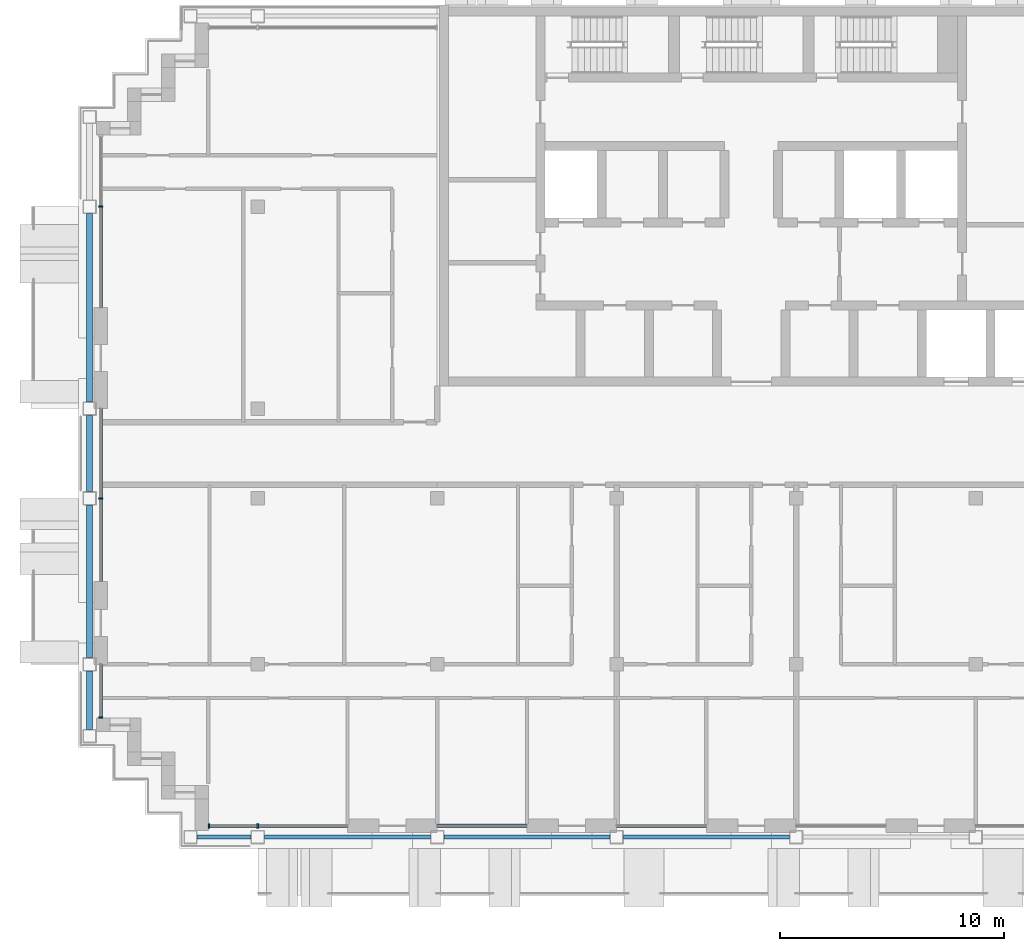
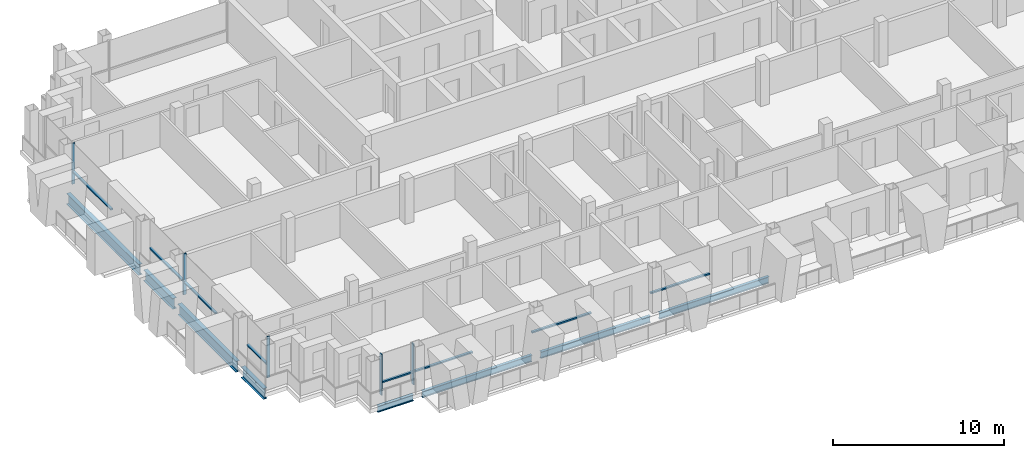
# One storey, part 2 of 16: 13 members, 8 beams, 6 elements without a shape of their own.
"""IFC4 building model written with IfcOpenShell, lengths in metres."""

from ifc_helpers import new_model, si_unit, direction, frame, origin, origin_2d, place, context, subcontext, project, spatial, rectangle, i_section, extrude, material, material_profile, profile_set, type_object, element, aggregate, save


model = new_model("IFC4")

# Units and contexts
model_context = context("Model", 3, precision=1e-05, world=origin(), true_north=direction((0.0, 1.0)))
body_context = subcontext(model_context, "Body", "Model", "MODEL_VIEW")
ifc_project = project(units=[si_unit("LENGTHUNIT", "METRE"), si_unit("AREAUNIT", "SQUARE_METRE"), si_unit("VOLUMEUNIT", "CUBIC_METRE"), si_unit("PLANEANGLEUNIT", "RADIAN"), si_unit("MASSUNIT", "GRAM", prefix="KILO")], contexts=[model_context])

# Site, building, storey
site_placement = place(None, origin())
site = spatial("IfcSite", under=ifc_project, at=site_placement, CompositionType="ELEMENT")
building_placement = place(site_placement, origin())
building = spatial("IfcBuilding", under=site, at=building_placement, Name="Vidyagriha Tower", CompositionType="ELEMENT")
storey_placement = place(building_placement, frame((0.0, 0.0, 223.60009765625)))
storey = spatial("IfcBuildingStorey", under=building, at=storey_placement, Name="L58", CompositionType="ELEMENT", Elevation=223.60009765625)

# Beams
ifc_material_1 = material(Name="Steel ASTM A992 Grade 50", Category="steel")
ifc_material_profile_1 = material_profile(ifc_material_1, i_section(OverallWidth=0.2666015625, OverallDepth=0.76953125, WebThickness=0.015625, FlangeThickness=0.025390625, at=origin_2d()), Name="W30X132")
ifc_profile_set_1 = profile_set([ifc_material_profile_1], Name="Steel ASTM A992 Grade 50")
beam_type_1 = type_object("IfcBeamType", Name="Cantilever edge beam W30X132", PredefinedType="SPANDREL", material=ifc_profile_set_1)
beam_1_placement = place(storey_placement, frame((-29.5, -12.300048828125, -0.664794921875), z_axis=(0.0, 1.0, 0.0), x_axis=(-1.0, 0.0, 0.0)))
element("IfcBeam", 1, at=beam_1_placement, inside=storey, type_object=beam_type_1, Name="st-beam-L58-W08", PredefinedType="SPANDREL", context=body_context, shape_type="SweptSolid", body=[
    extrude(i_section(OverallWidth=0.2666015625, OverallDepth=0.76953125, WebThickness=0.015625, FlangeThickness=0.025390625, at=origin_2d()), origin(), (0.0, 0.0, 1.0), 2.60009765625),
])
beam_2_placement = place(storey_placement, frame((-29.5, -9.10009765625, -0.664794921875), z_axis=(0.0, 1.0, 0.0), x_axis=(-1.0, 0.0, 0.0)))
element("IfcBeam", 2, at=beam_2_placement, inside=storey, type_object=beam_type_1, Name="st-beam-L58-W09", PredefinedType="SPANDREL", context=body_context, shape_type="SweptSolid", body=[
    extrude(i_section(OverallWidth=0.2666015625, OverallDepth=0.76953125, WebThickness=0.015625, FlangeThickness=0.025390625, at=origin_2d()), origin(), (0.0, 0.0, 1.0), 6.800048828125),
])
beam_3_placement = place(storey_placement, frame((-29.5, -1.699951171875, -0.664794921875), z_axis=(0.0, 1.0, 0.0), x_axis=(-1.0, 0.0, 0.0)))
element("IfcBeam", 3, at=beam_3_placement, inside=storey, type_object=beam_type_1, Name="st-beam-L58-W10", PredefinedType="SPANDREL", context=body_context, shape_type="SweptSolid", body=[
    extrude(i_section(OverallWidth=0.2666015625, OverallDepth=0.76953125, WebThickness=0.015625, FlangeThickness=0.025390625, at=origin_2d()), origin(), (0.0, 0.0, 1.0), 3.39990234375),
])
beam_4_placement = place(storey_placement, frame((-29.5, 2.300048828125, -0.664794921875), z_axis=(0.0, 1.0, 0.0), x_axis=(-1.0, 0.0, 0.0)))
element("IfcBeam", 4, at=beam_4_placement, inside=storey, type_object=beam_type_1, Name="st-beam-L58-W11", PredefinedType="SPANDREL", context=body_context, shape_type="SweptSolid", body=[
    extrude(i_section(OverallWidth=0.2666015625, OverallDepth=0.76953125, WebThickness=0.015625, FlangeThickness=0.025390625, at=origin_2d()), origin(), (0.0, 0.0, 1.0), 8.39990234375),
])
ifc_material_2 = material(Name="Steel ASTM A992 Grade 50", Category="steel")
ifc_material_profile_2 = material_profile(ifc_material_2, i_section(OverallWidth=0.19189453125, OverallDepth=0.46240234375, WebThickness=0.010498046875, FlangeThickness=0.017578125, at=origin_2d()), Name="W18X60")
ifc_profile_set_2 = profile_set([ifc_material_profile_2], Name="Steel ASTM A992 Grade 50")
beam_type_2 = type_object("IfcBeamType", Name="Edge beam W18X60", PredefinedType="SPANDREL", material=ifc_profile_set_2)
beam_5_placement = place(storey_placement, frame((-24.699951171875, -17.10009765625, -0.51123046875), z_axis=(1.0, 0.0, 0.0), x_axis=(0.0, 1.0, 0.0)))
element("IfcBeam", 5, at=beam_5_placement, inside=storey, type_object=beam_type_2, Name="st-beam-L58-S01", PredefinedType="SPANDREL", context=body_context, shape_type="SweptSolid", body=[
    extrude(i_section(OverallWidth=0.19189453125, OverallDepth=0.46240234375, WebThickness=0.010498046875, FlangeThickness=0.017578125, at=origin_2d()), origin(), (0.0, 0.0, 1.0), 2.39990234375),
])
for number, where, z_axis, x_axis, name in (
    (6, (-21.699951171875, -17.10009765625, -0.51123046875), (1.0, 0.0, 0.0), (0.0, 1.0, 0.0), "st-beam-L58-S02"),
    (7, (-13.699951171875, -17.10009765625, -0.51123046875), (1.0, 0.0, 0.0), (0.0, 1.0, 0.0), "st-beam-L58-S03"),
    (8, (-5.699951171875, -17.10009765625, -0.51123046875), (1.0, 0.0, 0.0), (0.0, 1.0, 0.0), "st-beam-L58-S04"),
):
    element("IfcBeam", number, at=place(storey_placement, frame(where, z_axis=z_axis, x_axis=x_axis)), inside=storey, type_object=beam_type_2, Name=name, PredefinedType="SPANDREL", context=body_context, shape_type="SweptSolid", body=[
        extrude(i_section(OverallWidth=0.19189453125, OverallDepth=0.46240234375, WebThickness=0.010498046875, FlangeThickness=0.017578125, at=origin_2d()), origin(), (0.0, 0.0, 1.0), 7.39990234375),
    ])

# Curtain wall, member
ifc_material_3 = material(Name="Aluminium and glass curtain wall", Category="aluminium")
curtain_wall_type = type_object("IfcCurtainWallType", Name="Dwelling skin unitised curtain wall", PredefinedType="USERDEFINED", material=ifc_material_3)
curtain_wall_1_placement = place(storey_placement, origin())
curtain_wall_1 = element("IfcCurtainWall", 9, at=curtain_wall_1_placement, inside=storey, type_object=curtain_wall_type, Name="CW1 dwelling skin", ObjectType="UNITISED", PredefinedType="USERDEFINED")
ifc_material_4 = material(Name="Aluminium black anodised", Category="aluminium")
ifc_material_profile_3 = material_profile(ifc_material_4, rectangle(XDim=0.199951171875, YDim=0.070068359375, at=origin_2d()), Name="Mullion 70x200 black aluminium")
ifc_profile_set_3 = profile_set([ifc_material_profile_3], Name="Aluminium black anodised")
member_type_1 = type_object("IfcMemberType", Name="Mullion 70x200 black aluminium", PredefinedType="MULLION", material=ifc_profile_set_3)
member_1_placement = place(storey_placement, frame((-29.0, 11.0, 0.0)))
member_1 = element("IfcMember", 10, at=member_1_placement, type_object=member_type_1, Name="CW1 mullion 2", PredefinedType="MULLION", context=body_context, shape_type="SweptSolid", body=[
    extrude(rectangle(XDim=0.199951171875, YDim=0.070068359375, at=origin_2d()), origin(), (0.0, 0.0, 1.0), 2.919921875),
])

curtain_wall_2_placement = place(storey_placement, origin())
curtain_wall_2 = element("IfcCurtainWall", 11, at=curtain_wall_2_placement, inside=storey, type_object=curtain_wall_type, Name="CW1 dwelling skin", ObjectType="UNITISED", PredefinedType="USERDEFINED")
member_2_placement = place(storey_placement, frame((-29.0, -2.0, 0.0)))
member_2 = element("IfcMember", 12, at=member_2_placement, type_object=member_type_1, Name="CW1 mullion 2", PredefinedType="MULLION", context=body_context, shape_type="SweptSolid", body=[
    extrude(rectangle(XDim=0.199951171875, YDim=0.070068359375, at=origin_2d()), origin(), (0.0, 0.0, 1.0), 2.919921875),
])

curtain_wall_3_placement = place(storey_placement, origin())
curtain_wall_3 = element("IfcCurtainWall", 13, at=curtain_wall_3_placement, inside=storey, type_object=curtain_wall_type, Name="CW1 dwelling skin", ObjectType="UNITISED", PredefinedType="USERDEFINED")
member_3_placement = place(storey_placement, frame((-29.0, -11.764892578125, 0.0)))
member_3 = element("IfcMember", 14, at=member_3_placement, type_object=member_type_1, Name="CW1 mullion 2", PredefinedType="MULLION", context=body_context, shape_type="SweptSolid", body=[
    extrude(rectangle(XDim=0.199951171875, YDim=0.070068359375, at=origin_2d()), origin(), (0.0, 0.0, 1.0), 2.919921875),
])

# Curtain wall, members
curtain_wall_4_placement = place(storey_placement, origin())
curtain_wall_4 = element("IfcCurtainWall", 15, at=curtain_wall_4_placement, inside=storey, type_object=curtain_wall_type, Name="CW1 dwelling skin", ObjectType="UNITISED", PredefinedType="USERDEFINED")
member_4_placement = place(storey_placement, frame((-24.1650390625, -16.60009765625, 0.0), z_axis=(0.0, 0.0, 1.0), x_axis=(0.0, 1.0, 0.0)))
member_4 = element("IfcMember", 16, at=member_4_placement, type_object=member_type_1, Name="CW1 mullion 1", PredefinedType="MULLION", context=body_context, shape_type="SweptSolid", body=[
    extrude(rectangle(XDim=0.199951171875, YDim=0.070068359375, at=origin_2d()), origin(), (0.0, 0.0, 1.0), 2.919921875),
])
member_5_placement = place(storey_placement, frame((-22.0, -16.60009765625, 0.0), z_axis=(0.0, 0.0, 1.0), x_axis=(0.0, 1.0, 0.0)))
member_5 = element("IfcMember", 17, at=member_5_placement, type_object=member_type_1, Name="CW1 mullion 2", PredefinedType="MULLION", context=body_context, shape_type="SweptSolid", body=[
    extrude(rectangle(XDim=0.199951171875, YDim=0.070068359375, at=origin_2d()), origin(), (0.0, 0.0, 1.0), 2.919921875),
])

# Member
ifc_material_5 = material(Name="Aluminium black anodised", Category="aluminium")
ifc_material_profile_4 = material_profile(ifc_material_5, rectangle(XDim=0.159912109375, YDim=0.10009765625, at=origin_2d()), Name="Transom 100x160 black aluminium")
ifc_profile_set_4 = profile_set([ifc_material_profile_4], Name="Aluminium black anodised")
member_type_2 = type_object("IfcMemberType", Name="Transom 100x160 black aluminium", PredefinedType="USERDEFINED", material=ifc_profile_set_4)
member_6_placement = place(storey_placement, frame((-29.0, 10.965087890625, 0.89990234375), z_axis=(0.0, -1.0, 0.0), x_axis=(1.0, 0.0, 0.0)))
member_6 = element("IfcMember", 18, at=member_6_placement, type_object=member_type_2, Name="CW1 transom 2.1", ObjectType="TRANSOM", PredefinedType="USERDEFINED", context=body_context, shape_type="SweptSolid", body=[
    extrude(rectangle(XDim=0.159912109375, YDim=0.10009765625, at=origin_2d()), origin(), (0.0, 0.0, 1.0), 4.465087890625),
])

aggregate(curtain_wall_1, [member_1, member_6])

member_7_placement = place(storey_placement, frame((-29.0, 2.0, 0.89990234375), z_axis=(0.0, -1.0, 0.0), x_axis=(1.0, 0.0, 0.0)))
member_7 = element("IfcMember", 19, at=member_7_placement, type_object=member_type_2, Name="CW1 transom 1.1", ObjectType="TRANSOM", PredefinedType="USERDEFINED", context=body_context, shape_type="SweptSolid", body=[
    extrude(rectangle(XDim=0.159912109375, YDim=0.10009765625, at=origin_2d()), origin(), (0.0, 0.0, 1.0), 3.965087890625),
])

member_8_placement = place(storey_placement, frame((-29.0, -2.034912109375, 0.89990234375), z_axis=(0.0, -1.0, 0.0), x_axis=(1.0, 0.0, 0.0)))
member_8 = element("IfcMember", 20, at=member_8_placement, type_object=member_type_2, Name="CW1 transom 2.1", ObjectType="TRANSOM", PredefinedType="USERDEFINED", context=body_context, shape_type="SweptSolid", body=[
    extrude(rectangle(XDim=0.159912109375, YDim=0.10009765625, at=origin_2d()), origin(), (0.0, 0.0, 1.0), 3.6650390625),
])

aggregate(curtain_wall_2, [member_2, member_7, member_8])

member_9_placement = place(storey_placement, frame((-29.0, -9.39990234375, 0.89990234375), z_axis=(0.0, -1.0, 0.0), x_axis=(1.0, 0.0, 0.0)))
member_9 = element("IfcMember", 21, at=member_9_placement, type_object=member_type_2, Name="CW1 transom 1.1", ObjectType="TRANSOM", PredefinedType="USERDEFINED", context=body_context, shape_type="SweptSolid", body=[
    extrude(rectangle(XDim=0.159912109375, YDim=0.10009765625, at=origin_2d()), origin(), (0.0, 0.0, 1.0), 2.330078125),
])

aggregate(curtain_wall_3, [member_3, member_9])

member_10_placement = place(storey_placement, frame((-24.1298828125, -16.60009765625, 0.89990234375), z_axis=(1.0, 0.0, 0.0), x_axis=(0.0, 1.0, 0.0)))
member_10 = element("IfcMember", 22, at=member_10_placement, type_object=member_type_2, Name="CW1 transom 1.1", ObjectType="TRANSOM", PredefinedType="USERDEFINED", context=body_context, shape_type="SweptSolid", body=[
    extrude(rectangle(XDim=0.159912109375, YDim=0.10009765625, at=origin_2d()), origin(), (0.0, 0.0, 1.0), 2.094970703125),
])

member_11_placement = place(storey_placement, frame((-21.965087890625, -16.60009765625, 0.89990234375), z_axis=(1.0, 0.0, 0.0), x_axis=(0.0, 1.0, 0.0)))
member_11 = element("IfcMember", 23, at=member_11_placement, type_object=member_type_2, Name="CW1 transom 2.1", ObjectType="TRANSOM", PredefinedType="USERDEFINED", context=body_context, shape_type="SweptSolid", body=[
    extrude(rectangle(XDim=0.159912109375, YDim=0.10009765625, at=origin_2d()), origin(), (0.0, 0.0, 1.0), 3.965087890625),
])

aggregate(curtain_wall_4, [member_4, member_5, member_10, member_11])

# Curtain wall, member
curtain_wall_5_placement = place(storey_placement, origin())
curtain_wall_5 = element("IfcCurtainWall", 24, at=curtain_wall_5_placement, inside=storey, type_object=curtain_wall_type, Name="CW1 dwelling skin", ObjectType="UNITISED", PredefinedType="USERDEFINED")
member_12_placement = place(storey_placement, frame((-14.0, -16.60009765625, 0.89990234375), z_axis=(1.0, 0.0, 0.0), x_axis=(0.0, 1.0, 0.0)))
member_12 = element("IfcMember", 25, at=member_12_placement, type_object=member_type_2, Name="CW1 transom 1.1", ObjectType="TRANSOM", PredefinedType="USERDEFINED", context=body_context, shape_type="SweptSolid", body=[
    extrude(rectangle(XDim=0.159912109375, YDim=0.10009765625, at=origin_2d()), origin(), (0.0, 0.0, 1.0), 4.0),
])
aggregate(curtain_wall_5, [member_12])

curtain_wall_6_placement = place(storey_placement, origin())
curtain_wall_6 = element("IfcCurtainWall", 26, at=curtain_wall_6_placement, inside=storey, type_object=curtain_wall_type, Name="CW1 dwelling skin", ObjectType="UNITISED", PredefinedType="USERDEFINED")
member_13_placement = place(storey_placement, frame((-6.0, -16.60009765625, 0.89990234375), z_axis=(1.0, 0.0, 0.0), x_axis=(0.0, 1.0, 0.0)))
member_13 = element("IfcMember", 27, at=member_13_placement, type_object=member_type_2, Name="CW1 transom 1.1", ObjectType="TRANSOM", PredefinedType="USERDEFINED", context=body_context, shape_type="SweptSolid", body=[
    extrude(rectangle(XDim=0.159912109375, YDim=0.10009765625, at=origin_2d()), origin(), (0.0, 0.0, 1.0), 4.0),
])
aggregate(curtain_wall_6, [member_13])

save(model, "model.ifc")
